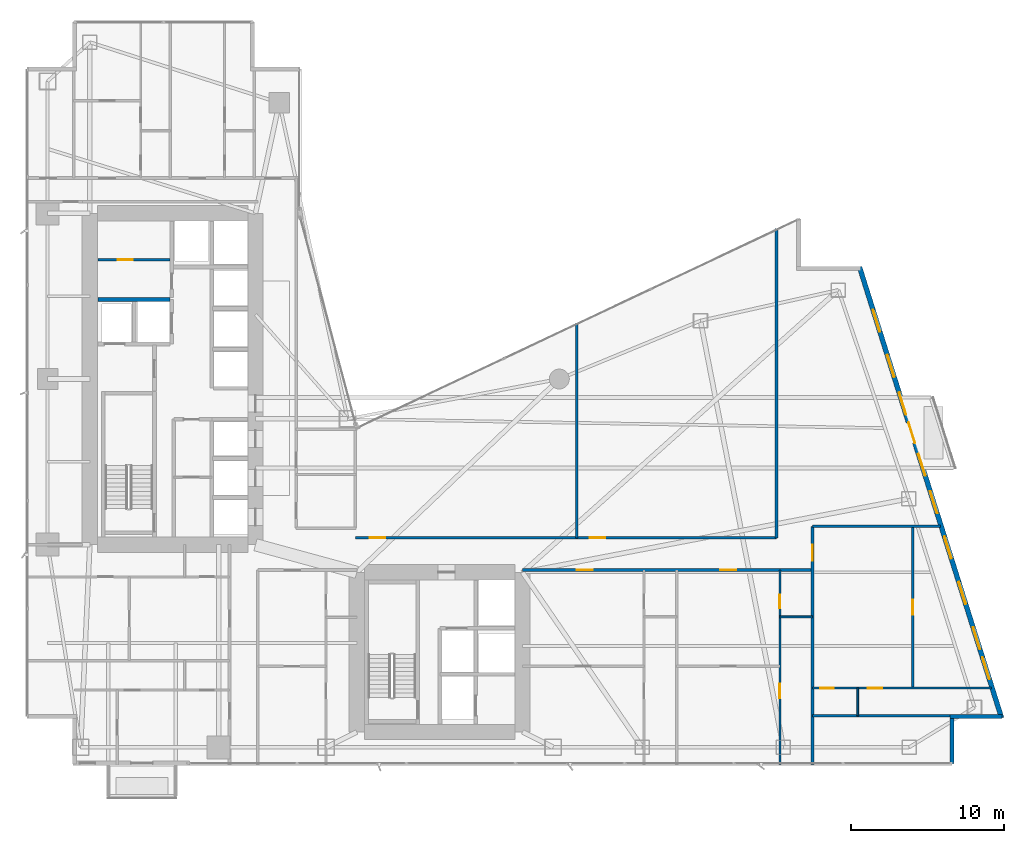
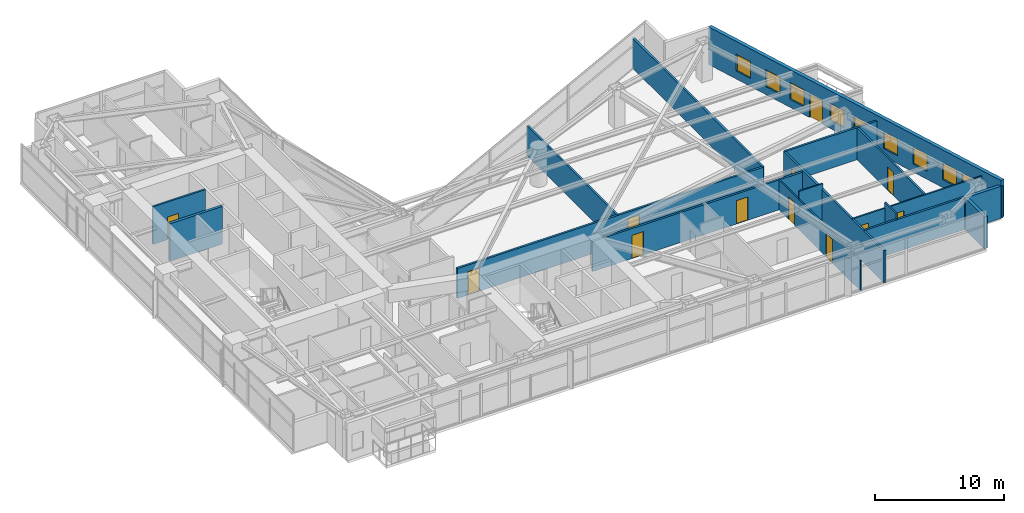
# One storey, part 24 of 29: 17 walls, 12 doors, 9 windows, 21 openings.
"""IFC4 building model written with IfcOpenShell, lengths in metres."""

import ifcopenshell
import ifcopenshell.guid

model = None  # the IFC model being written
_history = None  # IfcOwnerHistory: only IFC2X3 demands one
_inside = {}  # id of a spatial element -> (the spatial element, [elements in it])
_under = {}  # id of a project, library or spatial element -> (it, [spatial elements below it])
_declared = {}  # id of a project -> (the project, [libraries it declares])
_typed = {}  # id of a type object -> (the type object, [elements of that type])
_made_of = {}  # id of a material, layer set ... -> (it, [elements and type objects made of it])


def new_model(schema):
    """Start an empty IFC model of exactly this schema.

    Asked for "IFC4X3", IfcOpenShell would pick the latest addendum, in which some entities
    have other attributes; the version numbers below select the first issue.
    IFC2X3 requires an IfcOwnerHistory on every rooted entity: one is made here for all.
    """
    global model, _history
    if schema == "IFC4X3":
        model = ifcopenshell.file(schema_version=(4, 3, 0, 0))
    else:
        model = ifcopenshell.file(schema=schema)
    _inside.clear()
    _under.clear()
    _declared.clear()
    _typed.clear()
    _made_of.clear()
    _history = None
    if model.schema == "IFC2X3":
        org = make("IfcOrganization", Name="unknown")
        user = make(
            "IfcPersonAndOrganization",
            ThePerson=make("IfcPerson", FamilyName="unknown"),
            TheOrganization=org,
        )
        app = make(
            "IfcApplication",
            ApplicationDeveloper=org,
            Version="unknown",
            ApplicationFullName="unknown",
            ApplicationIdentifier="unknown",
        )
        _history = make(
            "IfcOwnerHistory",
            OwningUser=user,
            OwningApplication=app,
            ChangeAction="ADDED",
            CreationDate=0,
        )
    return model


def make(cls, **values):
    """One entity of the class cls with the attributes given. An attribute that is None is left unset."""
    return model.create_entity(
        cls, **{name: value for name, value in values.items() if value is not None}
    )


def rooted(cls, **values):
    """An entity with a GlobalId (a new one), such as an element, a storey or a relation."""
    return make(cls, GlobalId=ifcopenshell.guid.new(), OwnerHistory=_history, **values)


def si_unit(unit_type, name, prefix=None):
    """IfcSIUnit, for example si_unit("LENGTHUNIT", "METRE", prefix="MILLI")."""
    return make("IfcSIUnit", UnitType=unit_type, Prefix=prefix, Name=name)


def assignment(units):
    """IfcUnitAssignment: the units of a project."""
    return None if units is None else make("IfcUnitAssignment", Units=units)


def point(xyz):
    """IfcCartesianPoint."""
    return None if xyz is None else make("IfcCartesianPoint", Coordinates=xyz)


def direction(xyz):
    """IfcDirection."""
    return None if xyz is None else make("IfcDirection", DirectionRatios=xyz)


def frame(location, z_axis=None, x_axis=None):
    """IfcAxis2Placement3D, a coordinate frame: its origin and axes. An axis left out is left unset."""
    return make(
        "IfcAxis2Placement3D",
        Location=point(location),
        Axis=direction(z_axis),
        RefDirection=direction(x_axis),
    )


def frame_2d(location, x_axis=None):
    """IfcAxis2Placement2D, a coordinate frame in the plane: its origin and x axis."""
    return make(
        "IfcAxis2Placement2D", Location=point(location), RefDirection=direction(x_axis)
    )


def origin():
    """The frame at (0, 0, 0) with its axes left unset."""
    return frame((0.0, 0.0, 0.0))


def place(relative_to, where):
    """IfcLocalPlacement: puts the frame where relative to a parent placement (None: the world)."""
    return make(
        "IfcLocalPlacement", PlacementRelTo=relative_to, RelativePlacement=where
    )


def context(
    kind, dimensions, precision=None, world=None, true_north=None, identifier=None
):
    """IfcGeometricRepresentationContext, for example the 3D "Model" context."""
    return make(
        "IfcGeometricRepresentationContext",
        ContextIdentifier=identifier,
        ContextType=kind,
        CoordinateSpaceDimension=dimensions,
        Precision=precision,
        WorldCoordinateSystem=world,
        TrueNorth=true_north,
    )


def subcontext(parent, identifier, kind, view, scale=None):
    """IfcGeometricRepresentationSubContext, for example "Body" below "Model"."""
    return make(
        "IfcGeometricRepresentationSubContext",
        ContextIdentifier=identifier,
        ContextType=kind,
        ParentContext=parent,
        TargetScale=scale,
        TargetView=view,
    )


def project(units=None, contexts=None):
    """IfcProject with its units and contexts."""
    return rooted(
        "IfcProject",
        Name="project",
        RepresentationContexts=contexts,
        UnitsInContext=assignment(units),
    )


def spatial(cls, under=None, at=None, **own):
    """A site, building, storey or space (cls), placed at a placement, below another one or the project."""
    s = rooted(cls, ObjectPlacement=at, **own)
    if under is not None:
        _under.setdefault(under.id(), (under, []))[1].append(s)
    return s


def profile(cls, at=None, kind="AREA", **sizes):
    """A parametric profile (cls). Its sizes go by their IFC names, for example OverallWidth=200.0."""
    return make(cls, ProfileType=kind, Position=at, **sizes)


def rectangle(**sizes):
    """IfcRectangleProfileDef."""
    return profile("IfcRectangleProfileDef", **sizes)


def extrude(swept, where, along, depth):
    """IfcExtrudedAreaSolid: the profile swept, set in the frame where, extruded along a direction by depth."""
    return make(
        "IfcExtrudedAreaSolid",
        SweptArea=swept,
        Position=where,
        ExtrudedDirection=direction(along),
        Depth=depth,
    )


def shape(context_of_items, identifier, shape_type, items):
    """IfcShapeRepresentation: the items that make up one representation, for example the "Body"."""
    return make(
        "IfcShapeRepresentation",
        ContextOfItems=context_of_items,
        RepresentationIdentifier=identifier,
        RepresentationType=shape_type,
        Items=items,
    )


def material(Name=None, Category=None):
    """IfcMaterial."""
    return make("IfcMaterial", Name=Name, Category=Category)


def layer(
    of_material, thickness, ventilated=None, Name=None, Category=None, Priority=None
):
    """IfcMaterialLayer: one layer of a wall or slab, of a material (None: an air gap)."""
    return make(
        "IfcMaterialLayer",
        Material=of_material,
        LayerThickness=thickness,
        IsVentilated=ventilated,
        Name=Name,
        Category=Category,
        Priority=Priority,
    )


def layer_set(layers, Name=None):
    """IfcMaterialLayerSet."""
    return make("IfcMaterialLayerSet", MaterialLayers=layers, LayerSetName=Name)


def made_of(thing, what):
    """Note that an element or type object is made of a material, layer set ...; save() writes the relation."""
    if what is not None:
        _made_of.setdefault(what.id(), (what, []))[1].append(thing)
    return thing


def type_object(cls, material=None, **own):
    """A type object (cls), such as IfcWallType, which elements share."""
    return made_of(rooted(cls, **own), material)


def element(
    cls,
    number,
    at=None,
    inside=None,
    cuts=None,
    type_object=None,
    material=None,
    context=None,
    identifier="Body",
    shape_type=None,
    held_by="IfcProductDefinitionShape",
    body=None,
    shapes=None,
    **own,
):
    """One element of the class cls, such as IfcWall. Its Tag is "e" and its number.

    at: its placement. inside: the storey or other place that contains it. cuts: it is an
    opening in that element (IfcRelVoidsElement). A single representation is given by context,
    identifier, shape_type and body (its items); several are given by shapes. held_by: the class
    of the entity that holds the representations. save() writes the other relations.
    """
    e = rooted(cls, Tag="e%d" % number, ObjectPlacement=at, **own)
    if body is not None:
        shapes = [shape(context, identifier, shape_type, body)]
    if shapes is not None:
        e.Representation = make(held_by, Representations=shapes)
    if inside is not None:
        _inside.setdefault(inside.id(), (inside, []))[1].append(e)
    if cuts is not None:
        rooted(
            "IfcRelVoidsElement", RelatingBuildingElement=cuts, RelatedOpeningElement=e
        )
    if type_object is not None:
        _typed.setdefault(type_object.id(), (type_object, []))[1].append(e)
    return made_of(e, material)


def fill(opening, filler):
    """IfcRelFillsElement: the door or window that sits in an opening."""
    return rooted(
        "IfcRelFillsElement",
        RelatingOpeningElement=opening,
        RelatedBuildingElement=filler,
    )


def aggregate(whole, parts):
    """IfcRelAggregates: a whole, such as a stair, and the parts it consists of."""
    return rooted("IfcRelAggregates", RelatingObject=whole, RelatedObjects=parts)


def save(model, path):
    """Write the relations noted so far, then the file.

    IfcRelAggregates (storeys below a building ...), IfcRelContainedInSpatialStructure (elements
    in a storey), IfcRelDefinesByType, IfcRelAssociatesMaterial and IfcRelDeclares: one each for
    every whole, place, type object, material and project.
    """
    for whole, parts in _under.values():
        aggregate(whole, parts)
    for where, things in _inside.values():
        rooted(
            "IfcRelContainedInSpatialStructure",
            RelatedElements=things,
            RelatingStructure=where,
        )
    for kind, things in _typed.values():
        rooted("IfcRelDefinesByType", RelatedObjects=things, RelatingType=kind)
    for what, things in _made_of.values():
        rooted("IfcRelAssociatesMaterial", RelatedObjects=things, RelatingMaterial=what)
    for by, libraries in _declared.values():
        rooted("IfcRelDeclares", RelatingContext=by, RelatedDefinitions=libraries)
    model.write(path)


model = new_model("IFC4")

# Units and contexts
model_context = context("Model", 3, precision=1e-05, world=origin(), true_north=direction((0.0, 1.0)))
body_context = subcontext(model_context, "Body", "Model", "MODEL_VIEW")
ifc_project = project(units=[si_unit("LENGTHUNIT", "METRE"), si_unit("AREAUNIT", "SQUARE_METRE"), si_unit("VOLUMEUNIT", "CUBIC_METRE"), si_unit("PLANEANGLEUNIT", "RADIAN"), si_unit("MASSUNIT", "GRAM", prefix="KILO")], contexts=[model_context])

# Site, building, storey
site_placement = place(None, origin())
site = spatial("IfcSite", under=ifc_project, at=site_placement, CompositionType="ELEMENT")
building_placement = place(site_placement, origin())
building = spatial("IfcBuilding", under=site, at=building_placement, Name="Calvorn Quay Hotel", CompositionType="ELEMENT")
storey_placement = place(building_placement, frame((0.0, 0.0, 66.0)))
storey = spatial("IfcBuildingStorey", under=building, at=storey_placement, Name="L15", CompositionType="ELEMENT", Elevation=66.0)

# Wall, openings, doors
ifc_material_1 = material(Name="Acoustic Fireboard Steel-Stud Partition", Category="steel")
ifc_layer_1 = layer(ifc_material_1, 0.179931640625)
ifc_layer_set_1 = layer_set([ifc_layer_1], Name="WL-CORR-FIRE-180")
wall_type_1 = type_object("IfcWallType", Name="WL-CORR-FIRE-180", PredefinedType="PARTITIONING", material=ifc_layer_set_1)
wall_1_placement = place(storey_placement, frame((32.39990234375, 15.14990234375, 0.0), z_axis=(0.0, 0.0, 1.0), x_axis=(1.0, 0.0, 0.0)))
wall_1 = element("IfcWall", 1, at=wall_1_placement, inside=storey, type_object=wall_type_1, Name="Partition Wall L15-WL-CORR-SE-S", PredefinedType="PARTITIONING", context=body_context, shape_type="SweptSolid", body=[
    extrude(rectangle(XDim=18.900146484375, YDim=0.179931640625, at=frame_2d((9.4501953125, 0.0))), origin(), (0.0, 0.0, 1.0), 2.840087890625),
])
opening_1_placement = place(wall_1_placement, frame((3.550048828125, 0.0, 0.0)))
opening_1 = element("IfcOpeningElement", 2, at=opening_1_placement, cuts=wall_1, Name="Opening D-L15-U06", PredefinedType="OPENING", context=body_context, shape_type="SweptSolid", body=[
    extrude(rectangle(XDim=1.02001953125, YDim=2.199951171875, at=frame_2d((0.510009765625, 1.10009765625))), frame((0.0, 0.099853515625, 0.0), z_axis=(0.0, -1.0, 0.0), x_axis=(1.0, 0.0, 0.0)), (0.0, 0.0, 1.0), 0.199951171875),
])
opening_2_placement = place(wall_1_placement, frame((12.89990234375, 0.0, 0.0)))
opening_2 = element("IfcOpeningElement", 3, at=opening_2_placement, cuts=wall_1, Name="Opening D-L15-U07", PredefinedType="OPENING", context=body_context, shape_type="SweptSolid", body=[
    extrude(rectangle(XDim=1.02001953125, YDim=2.199951171875, at=frame_2d((0.510009765625, 1.10009765625))), frame((0.0, 0.099853515625, 0.0), z_axis=(0.0, -1.0, 0.0), x_axis=(1.0, 0.0, 0.0)), (0.0, 0.0, 1.0), 0.199951171875),
])
ifc_material_2 = material(Name="Solid-Core Walnut Veneer Hotel Fire Door")
door_type_1 = type_object("IfcDoorType", Name="DR-GUEST-ENTRY-1020", OperationType="NOTDEFINED", PredefinedType="DOOR", material=ifc_material_2)
door_1_placement = place(opening_1_placement, origin())
door_1 = element("IfcDoor", 4, at=door_1_placement, inside=storey, type_object=door_type_1, Name="South-East Unit Door U06 (L15)", OperationType="SINGLE_SWING_LEFT", OverallHeight=2.199951171875, OverallWidth=1.02001953125, PredefinedType="DOOR", context=body_context, shape_type="SweptSolid", body=[
    extrude(rectangle(XDim=1.02001953125, YDim=2.199951171875, at=frame_2d((0.510009765625, 1.10009765625))), frame((0.0, 0.02490234375, 0.0), z_axis=(0.0, -1.0, 0.0), x_axis=(1.0, 0.0, 0.0)), (0.0, 0.0, 1.0), 0.050048828125),
])
fill(opening_1, door_1)
door_2_placement = place(opening_2_placement, origin())
door_2 = element("IfcDoor", 5, at=door_2_placement, inside=storey, type_object=door_type_1, Name="South-East Unit Door U07 (L15)", OperationType="SINGLE_SWING_RIGHT", OverallHeight=2.199951171875, OverallWidth=1.02001953125, PredefinedType="DOOR", context=body_context, shape_type="SweptSolid", body=[
    extrude(rectangle(XDim=1.02001953125, YDim=2.199951171875, at=frame_2d((0.510009765625, 1.10009765625))), frame((0.0, 0.02490234375, 0.0), z_axis=(0.0, -1.0, 0.0), x_axis=(1.0, 0.0, 0.0)), (0.0, 0.0, 1.0), 0.050048828125),
])
fill(opening_2, door_2)

wall_2_placement = place(storey_placement, frame((21.5, 17.25, 0.0), z_axis=(0.0, 0.0, 1.0), x_axis=(1.0, 0.0, 0.0)))
wall_2 = element("IfcWall", 6, at=wall_2_placement, inside=storey, type_object=wall_type_1, Name="Partition Wall L15-WL-CORR-NE-N", PredefinedType="PARTITIONING", context=body_context, shape_type="SweptSolid", body=[
    extrude(rectangle(XDim=27.449951171875, YDim=0.179931640625, at=frame_2d((13.72509765625, 0.0))), origin(), (0.0, 0.0, 1.0), 2.840087890625),
])
opening_3_placement = place(wall_2_placement, frame((0.949951171875, 0.0, 0.0)))
opening_3 = element("IfcOpeningElement", 7, at=opening_3_placement, cuts=wall_2, Name="Opening D-L15-NS1", PredefinedType="OPENING", context=body_context, shape_type="SweptSolid", body=[
    extrude(rectangle(XDim=1.02001953125, YDim=2.199951171875, at=frame_2d((0.510009765625, 1.10009765625))), frame((0.0, 0.099853515625, 0.0), z_axis=(0.0, -1.0, 0.0), x_axis=(1.0, 0.0, 0.0)), (0.0, 0.0, 1.0), 0.199951171875),
])
opening_4_placement = place(wall_2_placement, frame((15.280029296875, 0.0, 0.0)))
opening_4 = element("IfcOpeningElement", 8, at=opening_4_placement, cuts=wall_2, Name="Opening D-L15-NS2", PredefinedType="OPENING", context=body_context, shape_type="SweptSolid", body=[
    extrude(rectangle(XDim=1.02001953125, YDim=2.199951171875, at=frame_2d((0.510009765625, 1.10009765625))), frame((0.0, 0.099853515625, 0.0), z_axis=(0.0, -1.0, 0.0), x_axis=(1.0, 0.0, 0.0)), (0.0, 0.0, 1.0), 0.199951171875),
])
door_3_placement = place(opening_3_placement, origin())
door_3 = element("IfcDoor", 9, at=door_3_placement, inside=storey, type_object=door_type_1, Name="Conservatory Salon Door 1 (L15)", OperationType="SINGLE_SWING_RIGHT", OverallHeight=2.199951171875, OverallWidth=1.02001953125, PredefinedType="DOOR", context=body_context, shape_type="SweptSolid", body=[
    extrude(rectangle(XDim=1.02001953125, YDim=2.199951171875, at=frame_2d((0.510009765625, 1.10009765625))), frame((0.0, 0.02490234375, 0.0), z_axis=(0.0, -1.0, 0.0), x_axis=(1.0, 0.0, 0.0)), (0.0, 0.0, 1.0), 0.050048828125),
])
fill(opening_3, door_3)
door_4_placement = place(opening_4_placement, origin())
door_4 = element("IfcDoor", 10, at=door_4_placement, inside=storey, type_object=door_type_1, Name="Conservatory Salon Door 2 (L15)", OperationType="SINGLE_SWING_LEFT", OverallHeight=2.199951171875, OverallWidth=1.02001953125, PredefinedType="DOOR", context=body_context, shape_type="SweptSolid", body=[
    extrude(rectangle(XDim=1.02001953125, YDim=2.199951171875, at=frame_2d((0.510009765625, 1.10009765625))), frame((0.0, 0.02490234375, 0.0), z_axis=(0.0, -1.0, 0.0), x_axis=(1.0, 0.0, 0.0)), (0.0, 0.0, 1.0), 0.050048828125),
])
fill(opening_4, door_4)

# Walls
wall_3_placement = place(storey_placement, frame((48.949951171875, 17.25, 0.0), z_axis=(0.0, 0.0, 1.0), x_axis=(0.0, 1.0, 0.0)))
element("IfcWall", 11, at=wall_3_placement, inside=storey, type_object=wall_type_1, Name="Partition Wall L15-WL-NE-END-E", PredefinedType="PARTITIONING", context=body_context, shape_type="SweptSolid", body=[
    extrude(rectangle(XDim=20.14990234375, YDim=0.179931640625, at=frame_2d((10.074951171875, 0.0))), origin(), (0.0, 0.0, 1.0), 2.840087890625),
])
wall_4_placement = place(storey_placement, frame((51.300048828125, 5.659912109375, 0.0), z_axis=(0.0, 0.0, 1.0), x_axis=(1.0, 0.0, 0.0)))
element("IfcWall", 12, at=wall_4_placement, inside=storey, type_object=wall_type_1, Name="Partition Wall L15-WL-TIP-S", PredefinedType="PARTITIONING", context=body_context, shape_type="SweptSolid", body=[
    extrude(rectangle(XDim=9.099853515625, YDim=0.179931640625, at=frame_2d((4.5498046875, 0.0))), origin(), (0.0, 0.0, 1.0), 3.0400390625),
])
wall_5_placement = place(storey_placement, frame((51.300048828125, 18.0, 0.0), z_axis=(0.0, 0.0, 1.0), x_axis=(1.0, 0.0, 0.0)))
element("IfcWall", 13, at=wall_5_placement, inside=storey, type_object=wall_type_1, Name="Partition Wall L15-WL-TIP-DIV", PredefinedType="PARTITIONING", context=body_context, shape_type="SweptSolid", body=[
    extrude(rectangle(XDim=8.329833984375, YDim=0.179931640625, at=frame_2d((4.1650390625, 0.0))), origin(), (0.0, 0.0, 1.0), 3.0400390625),
])

# Wall, opening, door
wall_6_placement = place(storey_placement, frame((51.300048828125, 2.43994140625, 0.0), z_axis=(0.0, 0.0, 1.0), x_axis=(0.0, 1.0, 0.0)))
wall_6 = element("IfcWall", 14, at=wall_6_placement, inside=storey, type_object=wall_type_1, Name="Partition Wall L15-WL-CORR-TIP-E1", PredefinedType="PARTITIONING", context=body_context, shape_type="SweptSolid", body=[
    extrude(rectangle(XDim=15.56005859375, YDim=0.179931640625, at=frame_2d((7.780029296875, 0.0))), origin(), (0.0, 0.0, 1.0), 3.0400390625),
])
opening_5_placement = place(wall_6_placement, frame((13.330078125, 0.0, 0.0)))
opening_5 = element("IfcOpeningElement", 15, at=opening_5_placement, cuts=wall_6, Name="Opening D-L15-U08", PredefinedType="OPENING", context=body_context, shape_type="SweptSolid", body=[
    extrude(rectangle(XDim=1.02001953125, YDim=2.199951171875, at=frame_2d((0.510009765625, 1.10009765625))), frame((0.0, 0.099853515625, 0.0), z_axis=(0.0, -1.0, 0.0), x_axis=(1.0, 0.0, 0.0)), (0.0, 0.0, 1.0), 0.199951171875),
])
door_5_placement = place(opening_5_placement, origin())
door_5 = element("IfcDoor", 16, at=door_5_placement, inside=storey, type_object=door_type_1, Name="Terrace Suite Door U08 (L15)", OperationType="SINGLE_SWING_LEFT", OverallHeight=2.199951171875, OverallWidth=1.02001953125, PredefinedType="DOOR", context=body_context, shape_type="SweptSolid", body=[
    extrude(rectangle(XDim=1.02001953125, YDim=2.199951171875, at=frame_2d((0.510009765625, 1.10009765625))), frame((0.0, 0.02490234375, 0.0), z_axis=(0.0, -1.0, 0.0), x_axis=(1.0, 0.0, 0.0)), (0.0, 0.0, 1.0), 0.050048828125),
])
fill(opening_5, door_5)

# Wall
ifc_material_3 = material(Name="Moisture-Resistant Tile-Backed Partition")
ifc_layer_2 = layer(ifc_material_3, 0.125)
ifc_layer_set_2 = layer_set([ifc_layer_2], Name="WL-ENSUITE-125")
wall_type_2 = type_object("IfcWallType", Name="WL-ENSUITE-125", PredefinedType="PARTITIONING", material=ifc_layer_set_2)
wall_7_placement = place(storey_placement, frame((49.169921875, 12.10009765625, 0.0), z_axis=(0.0, 0.0, 1.0), x_axis=(1.0, 0.0, 0.0)))
element("IfcWall", 17, at=wall_7_placement, inside=storey, type_object=wall_type_2, Name="Partition Wall L15-WL-U07-BDV", PredefinedType="PARTITIONING", context=body_context, shape_type="SweptSolid", body=[
    extrude(rectangle(XDim=2.130126953125, YDim=0.125, at=frame_2d((1.06494140625, 0.0))), origin(), (0.0, 0.0, 1.0), 3.56005859375),
])

# Wall, openings, doors
wall_8_placement = place(storey_placement, frame((49.169921875, 2.43994140625, 0.0), z_axis=(0.0, 0.0, 1.0), x_axis=(0.0, 1.0, 0.0)))
wall_8 = element("IfcWall", 18, at=wall_8_placement, inside=storey, type_object=wall_type_2, Name="Partition Wall L15-WL-U07-BV", PredefinedType="PARTITIONING", context=body_context, shape_type="SweptSolid", body=[
    extrude(rectangle(XDim=12.7099609375, YDim=0.125, at=frame_2d((6.35498046875, 0.0))), origin(), (0.0, 0.0, 1.0), 2.840087890625),
])
opening_6_placement = place(wall_8_placement, frame((4.35009765625, 0.0, 0.0)))
opening_6 = element("IfcOpeningElement", 19, at=opening_6_placement, cuts=wall_8, Name="Opening D-L15-S07", PredefinedType="OPENING", context=body_context, shape_type="SweptSolid", body=[
    extrude(rectangle(XDim=0.9599609375, YDim=2.199951171875, at=frame_2d((0.47998046875, 1.10009765625))), frame((0.0, 0.072509765625, 0.0), z_axis=(0.0, -1.0, 0.0), x_axis=(1.0, 0.0, 0.0)), (0.0, 0.0, 1.0), 0.14501953125),
])
opening_7_placement = place(wall_8_placement, frame((10.2099609375, 0.0, 0.0)))
opening_7 = element("IfcOpeningElement", 20, at=opening_7_placement, cuts=wall_8, Name="Opening D-L15-E07", PredefinedType="OPENING", context=body_context, shape_type="SweptSolid", body=[
    extrude(rectangle(XDim=0.89990234375, YDim=2.14990234375, at=frame_2d((0.449951171875, 1.074951171875))), frame((0.0, 0.072509765625, 0.0), z_axis=(0.0, -1.0, 0.0), x_axis=(1.0, 0.0, 0.0)), (0.0, 0.0, 1.0), 0.14501953125),
])
ifc_material_4 = material(Name="Moisture-Sealed Timber En-Suite Door", Category="wood")
door_type_2 = type_object("IfcDoorType", Name="DR-ENSUITE-900", OperationType="NOTDEFINED", PredefinedType="DOOR", material=ifc_material_4)
door_6_placement = place(opening_7_placement, origin())
door_6 = element("IfcDoor", 21, at=door_6_placement, inside=storey, type_object=door_type_2, Name="En-Suite Door 07", OperationType="SINGLE_SWING_RIGHT", OverallHeight=2.14990234375, OverallWidth=0.89990234375, PredefinedType="DOOR", context=body_context, shape_type="SweptSolid", body=[
    extrude(rectangle(XDim=0.89990234375, YDim=2.14990234375, at=frame_2d((0.449951171875, 1.074951171875))), frame((0.0, 0.02490234375, 0.0), z_axis=(0.0, -1.0, 0.0), x_axis=(1.0, 0.0, 0.0)), (0.0, 0.0, 1.0), 0.050048828125),
])
fill(opening_7, door_6)
ifc_material_5 = material(Name="Solid Timber Internal Suite Door", Category="wood")
door_type_3 = type_object("IfcDoorType", Name="DR-SUITE-INT-960", OperationType="NOTDEFINED", PredefinedType="DOOR", material=ifc_material_5)
door_7_placement = place(opening_6_placement, origin())
door_7 = element("IfcDoor", 22, at=door_7_placement, inside=storey, type_object=door_type_3, Name="Spa Therapy Room Door 07", OperationType="SINGLE_SWING_LEFT", OverallHeight=2.199951171875, OverallWidth=0.9599609375, PredefinedType="DOOR", context=body_context, shape_type="SweptSolid", body=[
    extrude(rectangle(XDim=0.9599609375, YDim=2.199951171875, at=frame_2d((0.47998046875, 1.10009765625))), frame((0.0, 0.02490234375, 0.0), z_axis=(0.0, -1.0, 0.0), x_axis=(1.0, 0.0, 0.0)), (0.0, 0.0, 1.0), 0.050048828125),
])
fill(opening_6, door_7)

# Wall
wall_9_placement = place(storey_placement, frame((54.25, 5.659912109375, 0.0), z_axis=(0.0, 0.0, 1.0), x_axis=(0.0, 1.0, 0.0)))
element("IfcWall", 23, at=wall_9_placement, inside=storey, type_object=wall_type_2, Name="Partition Wall L15-WL-U08-BDV", PredefinedType="PARTITIONING", context=body_context, shape_type="SweptSolid", body=[
    extrude(rectangle(XDim=1.7900390625, YDim=0.125, at=frame_2d((0.89501953125, 0.0))), origin(), (0.0, 0.0, 1.0), 3.56005859375),
])

# Wall, openings, doors
wall_10_placement = place(storey_placement, frame((51.300048828125, 7.449951171875, 0.0), z_axis=(0.0, 0.0, 1.0), x_axis=(1.0, 0.0, 0.0)))
wall_10 = element("IfcWall", 24, at=wall_10_placement, inside=storey, type_object=wall_type_2, Name="Partition Wall L15-WL-U08-BH", PredefinedType="PARTITIONING", context=body_context, shape_type="SweptSolid", body=[
    extrude(rectangle(XDim=11.659912109375, YDim=0.125, at=frame_2d((5.830078125, 0.0))), origin(), (0.0, 0.0, 1.0), 3.0400390625),
])
opening_8_placement = place(wall_10_placement, frame((0.5, 0.0, 0.0)))
opening_8 = element("IfcOpeningElement", 25, at=opening_8_placement, cuts=wall_10, Name="Opening D-L15-E08", PredefinedType="OPENING", context=body_context, shape_type="SweptSolid", body=[
    extrude(rectangle(XDim=0.89990234375, YDim=2.14990234375, at=frame_2d((0.449951171875, 1.074951171875))), frame((0.0, 0.072509765625, 0.0), z_axis=(0.0, -1.0, 0.0), x_axis=(1.0, 0.0, 0.0)), (0.0, 0.0, 1.0), 0.14501953125),
])
opening_9_placement = place(wall_10_placement, frame((3.60009765625, 0.0, 0.0)))
opening_9 = element("IfcOpeningElement", 26, at=opening_9_placement, cuts=wall_10, Name="Opening D-L15-S08", PredefinedType="OPENING", context=body_context, shape_type="SweptSolid", body=[
    extrude(rectangle(XDim=0.9599609375, YDim=2.199951171875, at=frame_2d((0.47998046875, 1.10009765625))), frame((0.0, 0.072509765625, 0.0), z_axis=(0.0, -1.0, 0.0), x_axis=(1.0, 0.0, 0.0)), (0.0, 0.0, 1.0), 0.14501953125),
])
door_8_placement = place(opening_8_placement, origin())
door_8 = element("IfcDoor", 27, at=door_8_placement, inside=storey, type_object=door_type_2, Name="En-Suite Door 08", OperationType="SINGLE_SWING_LEFT", OverallHeight=2.14990234375, OverallWidth=0.89990234375, PredefinedType="DOOR", context=body_context, shape_type="SweptSolid", body=[
    extrude(rectangle(XDim=0.89990234375, YDim=2.14990234375, at=frame_2d((0.449951171875, 1.074951171875))), frame((0.0, 0.02490234375, 0.0), z_axis=(0.0, -1.0, 0.0), x_axis=(1.0, 0.0, 0.0)), (0.0, 0.0, 1.0), 0.050048828125),
])
fill(opening_8, door_8)
door_9_placement = place(opening_9_placement, origin())
door_9 = element("IfcDoor", 28, at=door_9_placement, inside=storey, type_object=door_type_3, Name="Spa Therapy Room Door 08", OperationType="SINGLE_SWING_RIGHT", OverallHeight=2.199951171875, OverallWidth=0.9599609375, PredefinedType="DOOR", context=body_context, shape_type="SweptSolid", body=[
    extrude(rectangle(XDim=0.9599609375, YDim=2.199951171875, at=frame_2d((0.47998046875, 1.10009765625))), frame((0.0, 0.02490234375, 0.0), z_axis=(0.0, -1.0, 0.0), x_axis=(1.0, 0.0, 0.0)), (0.0, 0.0, 1.0), 0.050048828125),
])
fill(opening_9, door_9)

# Walls
ifc_material_6 = material(Name="Concrete C40", Category="concrete")
ifc_layer_3 = layer(ifc_material_6, 0.320068359375)
ifc_layer_set_3 = layer_set([ifc_layer_3], Name="WL-EXT-SPANDREL-320")
wall_type_3 = type_object("IfcWallType", Name="WL-EXT-SPANDREL-320", PredefinedType="SOLIDWALL", material=ifc_layer_set_3)
wall_11_placement = place(storey_placement, frame((60.39990234375, 2.52001953125, 0.0), z_axis=(0.0, 0.0, 1.0), x_axis=(0.0, 1.0, 0.0)))
element("IfcWall", 29, at=wall_11_placement, inside=storey, type_object=wall_type_3, Name="Notched Corner Spandrel L15-SE1", PredefinedType="SOLIDWALL", context=body_context, shape_type="SweptSolid", body=[
    extrude(rectangle(XDim=2.93994140625, YDim=0.280029296875, at=frame_2d((1.469970703125, 0.0))), origin(), (0.0, 0.0, 1.0), 3.0400390625),
])
wall_12_placement = place(storey_placement, frame((60.260009765625, 5.60009765625, 0.0), z_axis=(0.0, 0.0, 1.0), x_axis=(1.0, 0.0, 0.0)))
element("IfcWall", 30, at=wall_12_placement, inside=storey, type_object=wall_type_3, Name="Notched Corner Spandrel L15-SE2", PredefinedType="SOLIDWALL", context=body_context, shape_type="SweptSolid", body=[
    extrude(rectangle(XDim=3.3798828125, YDim=0.280029296875, at=frame_2d((1.68994140625, 0.0))), origin(), (0.0, 0.0, 1.0), 3.0400390625),
])

# Wall, openings, door, windows
wall_13_placement = place(storey_placement, frame((63.6298828125, 5.5048828125, 0.0), z_axis=(0.0, 0.0, 1.0), x_axis=(-0.300501856448, 0.953781229775, 0.0)))
wall_13 = element("IfcWall", 31, at=wall_13_placement, inside=storey, type_object=wall_type_3, Name="East Stepped Waterfront Exterior Wall (L15)", PredefinedType="SOLIDWALL", context=body_context, shape_type="SweptSolid", body=[
    extrude(rectangle(XDim=30.814453125, YDim=0.320068359375, at=frame_2d((15.4072265625, 0.0))), origin(), (0.0, 0.0, 1.0), 3.56005859375),
])
opening_10_placement = place(wall_13_placement, frame((18.7958984375, 0.0, 0.0)))
opening_10 = element("IfcOpeningElement", 32, at=opening_10_placement, cuts=wall_13, Name="Opening DB-L15-1", PredefinedType="OPENING", context=body_context, shape_type="SweptSolid", body=[
    extrude(rectangle(XDim=1.39990234375, YDim=2.25, at=frame_2d((0.699951171875, 1.125))), frame((0.0, 0.169921875, 0.0), z_axis=(0.0, -1.0, 0.0), x_axis=(1.0, 0.0, 0.0)), (0.0, 0.0, 1.0), 0.340087890625),
])
opening_11_placement = place(wall_13_placement, frame((2.64990234375, 0.0, 0.75)))
opening_11 = element("IfcOpeningElement", 33, at=opening_11_placement, cuts=wall_13, Name="Opening WG-L15-E1", PredefinedType="OPENING", context=body_context, shape_type="SweptSolid", body=[
    extrude(rectangle(XDim=1.5, YDim=1.60009765625, at=frame_2d((0.75, 0.800048828125))), frame((0.0, 0.169921875, 0.0), z_axis=(0.0, -1.0, 0.0), x_axis=(1.0, 0.0, 0.0)), (0.0, 0.0, 1.0), 0.340087890625),
])
opening_12_placement = place(wall_13_placement, frame((4.699951171875, 0.0, 0.75)))
opening_12 = element("IfcOpeningElement", 34, at=opening_12_placement, cuts=wall_13, Name="Opening WG-L15-E2", PredefinedType="OPENING", context=body_context, shape_type="SweptSolid", body=[
    extrude(rectangle(XDim=1.5, YDim=1.60009765625, at=frame_2d((0.75, 0.800048828125))), frame((0.0, 0.169921875, 0.0), z_axis=(0.0, -1.0, 0.0), x_axis=(1.0, 0.0, 0.0)), (0.0, 0.0, 1.0), 0.340087890625),
])
opening_13_placement = place(wall_13_placement, frame((7.800048828125, 0.0, 0.75)))
opening_13 = element("IfcOpeningElement", 35, at=opening_13_placement, cuts=wall_13, Name="Opening WG-L15-E3", PredefinedType="OPENING", context=body_context, shape_type="SweptSolid", body=[
    extrude(rectangle(XDim=1.5, YDim=1.60009765625, at=frame_2d((0.75, 0.800048828125))), frame((0.0, 0.169921875, 0.0), z_axis=(0.0, -1.0, 0.0), x_axis=(1.0, 0.0, 0.0)), (0.0, 0.0, 1.0), 0.340087890625),
])
opening_14_placement = place(wall_13_placement, frame((10.89990234375, 0.0, 0.75)))
opening_14 = element("IfcOpeningElement", 36, at=opening_14_placement, cuts=wall_13, Name="Opening WG-L15-E4", PredefinedType="OPENING", context=body_context, shape_type="SweptSolid", body=[
    extrude(rectangle(XDim=1.5, YDim=1.60009765625, at=frame_2d((0.75, 0.800048828125))), frame((0.0, 0.169921875, 0.0), z_axis=(0.0, -1.0, 0.0), x_axis=(1.0, 0.0, 0.0)), (0.0, 0.0, 1.0), 0.340087890625),
])
opening_15_placement = place(wall_13_placement, frame((14.0, 0.0, 0.75)))
opening_15 = element("IfcOpeningElement", 37, at=opening_15_placement, cuts=wall_13, Name="Opening WG-L15-E5", PredefinedType="OPENING", context=body_context, shape_type="SweptSolid", body=[
    extrude(rectangle(XDim=1.5, YDim=1.60009765625, at=frame_2d((0.75, 0.800048828125))), frame((0.0, 0.169921875, 0.0), z_axis=(0.0, -1.0, 0.0), x_axis=(1.0, 0.0, 0.0)), (0.0, 0.0, 1.0), 0.340087890625),
])
opening_16_placement = place(wall_13_placement, frame((16.550048828125, 0.0, 0.75)))
opening_16 = element("IfcOpeningElement", 38, at=opening_16_placement, cuts=wall_13, Name="Opening WG-L15-E6", PredefinedType="OPENING", context=body_context, shape_type="SweptSolid", body=[
    extrude(rectangle(XDim=1.5, YDim=1.60009765625, at=frame_2d((0.75, 0.800048828125))), frame((0.0, 0.169921875, 0.0), z_axis=(0.0, -1.0, 0.0), x_axis=(1.0, 0.0, 0.0)), (0.0, 0.0, 1.0), 0.340087890625),
])
opening_17_placement = place(wall_13_placement, frame((20.75, 0.0, 0.75)))
opening_17 = element("IfcOpeningElement", 39, at=opening_17_placement, cuts=wall_13, Name="Opening WG-L15-E7", PredefinedType="OPENING", context=body_context, shape_type="SweptSolid", body=[
    extrude(rectangle(XDim=1.5, YDim=1.60009765625, at=frame_2d((0.75, 0.800048828125))), frame((0.0, 0.169921875, 0.0), z_axis=(0.0, -1.0, 0.0), x_axis=(1.0, 0.0, 0.0)), (0.0, 0.0, 1.0), 0.340087890625),
])
opening_18_placement = place(wall_13_placement, frame((23.300048828125, 0.0, 0.75)))
opening_18 = element("IfcOpeningElement", 40, at=opening_18_placement, cuts=wall_13, Name="Opening WG-L15-E8", PredefinedType="OPENING", context=body_context, shape_type="SweptSolid", body=[
    extrude(rectangle(XDim=1.5, YDim=1.60009765625, at=frame_2d((0.75, 0.800048828125))), frame((0.0, 0.169921875, 0.0), z_axis=(0.0, -1.0, 0.0), x_axis=(1.0, 0.0, 0.0)), (0.0, 0.0, 1.0), 0.340087890625),
])
opening_19_placement = place(wall_13_placement, frame((26.39990234375, 0.0, 0.75)))
opening_19 = element("IfcOpeningElement", 41, at=opening_19_placement, cuts=wall_13, Name="Opening WG-L15-E9", PredefinedType="OPENING", context=body_context, shape_type="SweptSolid", body=[
    extrude(rectangle(XDim=1.5, YDim=1.60009765625, at=frame_2d((0.75, 0.800048828125))), frame((0.0, 0.169921875, 0.0), z_axis=(0.0, -1.0, 0.0), x_axis=(1.0, 0.0, 0.0)), (0.0, 0.0, 1.0), 0.340087890625),
])
ifc_material_7 = material(Name="Typhoon-Rated Low-E Aluminium Terrace Door", Category="aluminium")
door_type_4 = type_object("IfcDoorType", Name="DR-BALCONY-GLZ-1400", OperationType="NOTDEFINED", PredefinedType="DOOR", material=ifc_material_7)
door_10_placement = place(opening_10_placement, origin())
door_10 = element("IfcDoor", 42, at=door_10_placement, inside=storey, type_object=door_type_4, Name="Tree Balcony Terrace Door L15-BALC-E", OperationType="SINGLE_SWING_LEFT", OverallHeight=2.25, OverallWidth=1.39990234375, PredefinedType="DOOR", context=body_context, shape_type="SweptSolid", body=[
    extrude(rectangle(XDim=1.39990234375, YDim=2.25, at=frame_2d((0.699951171875, 1.125))), frame((0.0, 0.02490234375, 0.0), z_axis=(0.0, -1.0, 0.0), x_axis=(1.0, 0.0, 0.0)), (0.0, 0.0, 1.0), 0.050048828125),
])
fill(opening_10, door_10)
ifc_material_8 = material(Name="Self-Closing Class B Fire Window")
window_type = type_object("IfcWindowType", Name="WIN-REFUGE-1500x1600", PartitioningType="SINGLE_PANEL", PredefinedType="WINDOW", material=ifc_material_8)
window_1_placement = place(opening_11_placement, origin())
window_1 = element("IfcWindow", 43, at=window_1_placement, inside=storey, type_object=window_type, Name="East Facade Window L15-E1", OverallHeight=1.60009765625, OverallWidth=1.5, PartitioningType="SINGLE_PANEL", PredefinedType="WINDOW", context=body_context, shape_type="SweptSolid", body=[
    extrude(rectangle(XDim=1.5, YDim=1.60009765625, at=frame_2d((0.75, 0.800048828125))), frame((0.0, 0.030029296875, 0.0), z_axis=(0.0, -1.0, 0.0), x_axis=(1.0, 0.0, 0.0)), (0.0, 0.0, 1.0), 0.06005859375),
])
fill(opening_11, window_1)
window_2_placement = place(opening_12_placement, origin())
window_2 = element("IfcWindow", 44, at=window_2_placement, inside=storey, type_object=window_type, Name="East Facade Window L15-E2", OverallHeight=1.60009765625, OverallWidth=1.5, PartitioningType="SINGLE_PANEL", PredefinedType="WINDOW", context=body_context, shape_type="SweptSolid", body=[
    extrude(rectangle(XDim=1.5, YDim=1.60009765625, at=frame_2d((0.75, 0.800048828125))), frame((0.0, 0.030029296875, 0.0), z_axis=(0.0, -1.0, 0.0), x_axis=(1.0, 0.0, 0.0)), (0.0, 0.0, 1.0), 0.06005859375),
])
fill(opening_12, window_2)
window_3_placement = place(opening_13_placement, origin())
window_3 = element("IfcWindow", 45, at=window_3_placement, inside=storey, type_object=window_type, Name="East Facade Window L15-E3", OverallHeight=1.60009765625, OverallWidth=1.5, PartitioningType="SINGLE_PANEL", PredefinedType="WINDOW", context=body_context, shape_type="SweptSolid", body=[
    extrude(rectangle(XDim=1.5, YDim=1.60009765625, at=frame_2d((0.75, 0.800048828125))), frame((0.0, 0.030029296875, 0.0), z_axis=(0.0, -1.0, 0.0), x_axis=(1.0, 0.0, 0.0)), (0.0, 0.0, 1.0), 0.06005859375),
])
fill(opening_13, window_3)
window_4_placement = place(opening_14_placement, origin())
window_4 = element("IfcWindow", 46, at=window_4_placement, inside=storey, type_object=window_type, Name="East Facade Window L15-E4", OverallHeight=1.60009765625, OverallWidth=1.5, PartitioningType="SINGLE_PANEL", PredefinedType="WINDOW", context=body_context, shape_type="SweptSolid", body=[
    extrude(rectangle(XDim=1.5, YDim=1.60009765625, at=frame_2d((0.75, 0.800048828125))), frame((0.0, 0.030029296875, 0.0), z_axis=(0.0, -1.0, 0.0), x_axis=(1.0, 0.0, 0.0)), (0.0, 0.0, 1.0), 0.06005859375),
])
fill(opening_14, window_4)
window_5_placement = place(opening_15_placement, origin())
window_5 = element("IfcWindow", 47, at=window_5_placement, inside=storey, type_object=window_type, Name="East Facade Window L15-E5", OverallHeight=1.60009765625, OverallWidth=1.5, PartitioningType="SINGLE_PANEL", PredefinedType="WINDOW", context=body_context, shape_type="SweptSolid", body=[
    extrude(rectangle(XDim=1.5, YDim=1.60009765625, at=frame_2d((0.75, 0.800048828125))), frame((0.0, 0.030029296875, 0.0), z_axis=(0.0, -1.0, 0.0), x_axis=(1.0, 0.0, 0.0)), (0.0, 0.0, 1.0), 0.06005859375),
])
fill(opening_15, window_5)
window_6_placement = place(opening_16_placement, origin())
window_6 = element("IfcWindow", 48, at=window_6_placement, inside=storey, type_object=window_type, Name="East Facade Window L15-E6", OverallHeight=1.60009765625, OverallWidth=1.5, PartitioningType="SINGLE_PANEL", PredefinedType="WINDOW", context=body_context, shape_type="SweptSolid", body=[
    extrude(rectangle(XDim=1.5, YDim=1.60009765625, at=frame_2d((0.75, 0.800048828125))), frame((0.0, 0.030029296875, 0.0), z_axis=(0.0, -1.0, 0.0), x_axis=(1.0, 0.0, 0.0)), (0.0, 0.0, 1.0), 0.06005859375),
])
fill(opening_16, window_6)
window_7_placement = place(opening_17_placement, origin())
window_7 = element("IfcWindow", 49, at=window_7_placement, inside=storey, type_object=window_type, Name="East Facade Window L15-E7", OverallHeight=1.60009765625, OverallWidth=1.5, PartitioningType="SINGLE_PANEL", PredefinedType="WINDOW", context=body_context, shape_type="SweptSolid", body=[
    extrude(rectangle(XDim=1.5, YDim=1.60009765625, at=frame_2d((0.75, 0.800048828125))), frame((0.0, 0.030029296875, 0.0), z_axis=(0.0, -1.0, 0.0), x_axis=(1.0, 0.0, 0.0)), (0.0, 0.0, 1.0), 0.06005859375),
])
fill(opening_17, window_7)
window_8_placement = place(opening_18_placement, origin())
window_8 = element("IfcWindow", 50, at=window_8_placement, inside=storey, type_object=window_type, Name="East Facade Window L15-E8", OverallHeight=1.60009765625, OverallWidth=1.5, PartitioningType="SINGLE_PANEL", PredefinedType="WINDOW", context=body_context, shape_type="SweptSolid", body=[
    extrude(rectangle(XDim=1.5, YDim=1.60009765625, at=frame_2d((0.75, 0.800048828125))), frame((0.0, 0.030029296875, 0.0), z_axis=(0.0, -1.0, 0.0), x_axis=(1.0, 0.0, 0.0)), (0.0, 0.0, 1.0), 0.06005859375),
])
fill(opening_18, window_8)
window_9_placement = place(opening_19_placement, origin())
window_9 = element("IfcWindow", 51, at=window_9_placement, inside=storey, type_object=window_type, Name="East Facade Window L15-E9", OverallHeight=1.60009765625, OverallWidth=1.5, PartitioningType="SINGLE_PANEL", PredefinedType="WINDOW", context=body_context, shape_type="SweptSolid", body=[
    extrude(rectangle(XDim=1.5, YDim=1.60009765625, at=frame_2d((0.75, 0.800048828125))), frame((0.0, 0.030029296875, 0.0), z_axis=(0.0, -1.0, 0.0), x_axis=(1.0, 0.0, 0.0)), (0.0, 0.0, 1.0), 0.06005859375),
])
fill(opening_19, window_9)

# Wall, opening, door
ifc_material_9 = material(Name="Double-Stud Acoustic Gypsum Partition")
ifc_layer_4 = layer(ifc_material_9, 0.159912109375)
ifc_layer_set_4 = layer_set([ifc_layer_4], Name="WL-INTERSUITE-160")
wall_type_4 = type_object("IfcWallType", Name="WL-INTERSUITE-160", PredefinedType="PARTITIONING", material=ifc_layer_set_4)
wall_14_placement = place(storey_placement, frame((4.719970703125, 35.3798828125, 0.0), z_axis=(0.0, 0.0, 1.0), x_axis=(1.0, 0.0, 0.0)))
wall_14 = element("IfcWall", 52, at=wall_14_placement, inside=storey, type_object=wall_type_4, Name="Partition Wall L15-WL-CWW-K-MID", PredefinedType="PARTITIONING", context=body_context, shape_type="SweptSolid", body=[
    extrude(rectangle(XDim=4.699951171875, YDim=0.159912109375, at=frame_2d((2.35009765625, 0.0))), origin(), (0.0, 0.0, 1.0), 3.56005859375),
])
opening_20_placement = place(wall_14_placement, frame((1.300048828125, 0.0, 0.0)))
opening_20 = element("IfcOpeningElement", 53, at=opening_20_placement, cuts=wall_14, Name="Opening D-L15-CK2", PredefinedType="OPENING", context=body_context, shape_type="SweptSolid", body=[
    extrude(rectangle(XDim=0.97998046875, YDim=2.14990234375, at=frame_2d((0.489990234375, 1.074951171875))), frame((0.0, 0.08984375, 0.0), z_axis=(0.0, -1.0, 0.0), x_axis=(1.0, 0.0, 0.0)), (0.0, 0.0, 1.0), 0.179931640625),
])
ifc_material_10 = material(Name="Painted Steel Housekeeping/Riser Fire Door", Category="steel")
door_type_5 = type_object("IfcDoorType", Name="DR-SERVICE-980", OperationType="NOTDEFINED", PredefinedType="DOOR", material=ifc_material_10)
door_11_placement = place(opening_20_placement, origin())
door_11 = element("IfcDoor", 54, at=door_11_placement, inside=storey, type_object=door_type_5, Name="Electrical Riser Door (L15)", OperationType="SINGLE_SWING_RIGHT", OverallHeight=2.14990234375, OverallWidth=0.97998046875, PredefinedType="DOOR", context=body_context, shape_type="SweptSolid", body=[
    extrude(rectangle(XDim=0.97998046875, YDim=2.14990234375, at=frame_2d((0.489990234375, 1.074951171875))), frame((0.0, 0.02490234375, 0.0), z_axis=(0.0, -1.0, 0.0), x_axis=(1.0, 0.0, 0.0)), (0.0, 0.0, 1.0), 0.050048828125),
])
fill(opening_20, door_11)

# Wall
wall_15_placement = place(storey_placement, frame((35.929931640625, 17.25, 0.0), z_axis=(0.0, 0.0, 1.0), x_axis=(0.0, 1.0, 0.0)))
element("IfcWall", 55, at=wall_15_placement, inside=storey, type_object=wall_type_4, Name="Partition Wall L15-WL-NE-DIV-1", PredefinedType="PARTITIONING", context=body_context, shape_type="SweptSolid", body=[
    extrude(rectangle(XDim=14.0, YDim=0.159912109375, at=frame_2d((7.0, 0.0))), origin(), (0.0, 0.0, 1.0), 2.840087890625),
])

# Wall, opening, door
wall_16_placement = place(storey_placement, frame((57.830078125, 7.449951171875, 0.0), z_axis=(0.0, 0.0, 1.0), x_axis=(0.0, 1.0, 0.0)))
wall_16 = element("IfcWall", 56, at=wall_16_placement, inside=storey, type_object=wall_type_4, Name="Partition Wall L15-WL-U08-MSP", PredefinedType="PARTITIONING", context=body_context, shape_type="SweptSolid", body=[
    extrude(rectangle(XDim=10.550048828125, YDim=0.159912109375, at=frame_2d((5.27490234375, 0.0))), origin(), (0.0, 0.0, 1.0), 3.0400390625),
])
opening_21_placement = place(wall_16_placement, frame((4.7900390625, 0.0, 0.0)))
opening_21 = element("IfcOpeningElement", 57, at=opening_21_placement, cuts=wall_16, Name="Opening D-L15-M08", PredefinedType="OPENING", context=body_context, shape_type="SweptSolid", body=[
    extrude(rectangle(XDim=0.9599609375, YDim=2.199951171875, at=frame_2d((0.47998046875, 1.10009765625))), frame((0.0, 0.08984375, 0.0), z_axis=(0.0, -1.0, 0.0), x_axis=(1.0, 0.0, 0.0)), (0.0, 0.0, 1.0), 0.179931640625),
])
door_12_placement = place(opening_21_placement, origin())
door_12 = element("IfcDoor", 58, at=door_12_placement, inside=storey, type_object=door_type_3, Name="Suite Bedroom Door 08", OperationType="SINGLE_SWING_LEFT", OverallHeight=2.199951171875, OverallWidth=0.9599609375, PredefinedType="DOOR", context=body_context, shape_type="SweptSolid", body=[
    extrude(rectangle(XDim=0.9599609375, YDim=2.199951171875, at=frame_2d((0.47998046875, 1.10009765625))), frame((0.0, 0.02490234375, 0.0), z_axis=(0.0, -1.0, 0.0), x_axis=(1.0, 0.0, 0.0)), (0.0, 0.0, 1.0), 0.050048828125),
])
fill(opening_21, door_12)

# Wall
ifc_material_11 = material(Name="Concrete C40", Category="concrete")
ifc_layer_5 = layer(ifc_material_11, 0.239990234375)
ifc_layer_set_5 = layer_set([ifc_layer_5], Name="WL-SHAFT-240")
wall_type_5 = type_object("IfcWallType", Name="WL-SHAFT-240", PredefinedType="SOLIDWALL", material=ifc_layer_set_5)
wall_17_placement = place(storey_placement, frame((4.719970703125, 32.780029296875, 0.0), z_axis=(0.0, 0.0, 1.0), x_axis=(1.0, 0.0, 0.0)))
element("IfcWall", 59, at=wall_17_placement, inside=storey, type_object=wall_type_5, Name="Partition Wall L15-WL-CWW-SLW-N", PredefinedType="SOLIDWALL", context=body_context, shape_type="SweptSolid", body=[
    extrude(rectangle(XDim=4.699951171875, YDim=0.239990234375, at=frame_2d((2.35009765625, 0.0))), origin(), (0.0, 0.0, 1.0), 3.56005859375),
])

save(model, "model.ifc")
